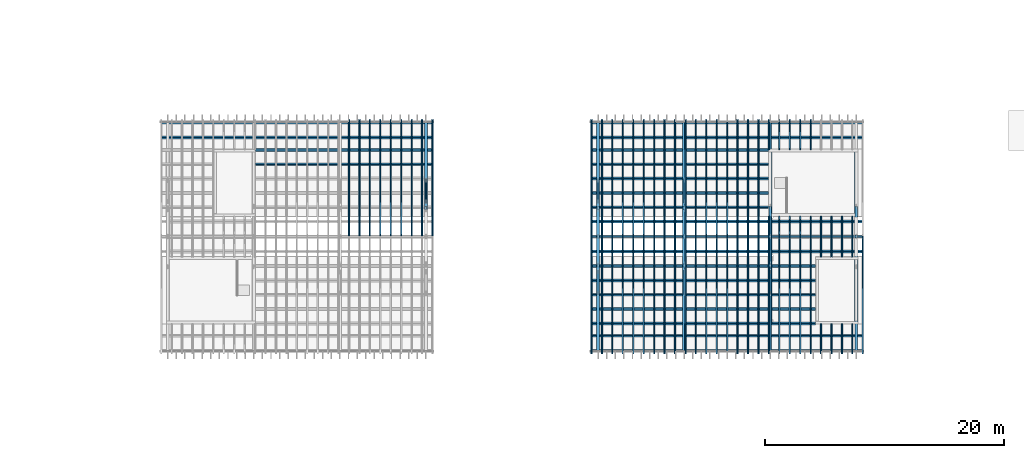
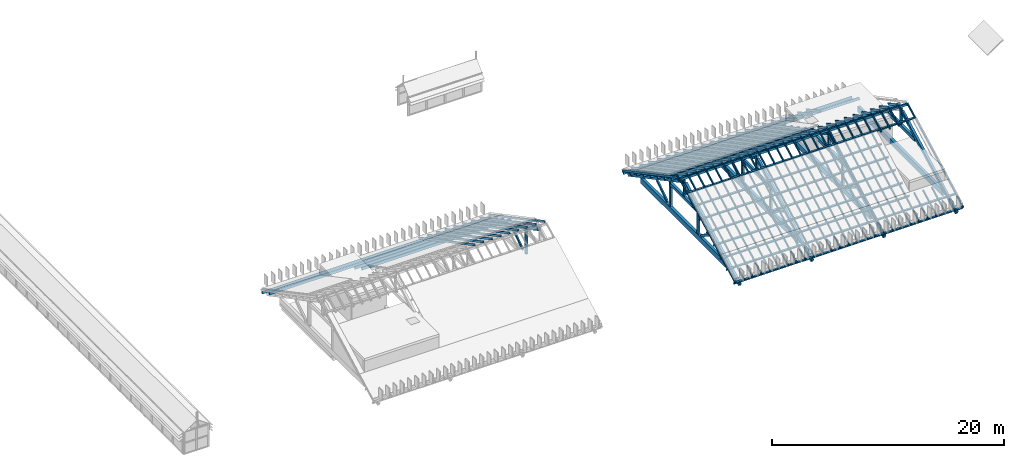
# One storey, part 10 of 28: 120 members, 4 beams.
"""IFC4 building model written with IfcOpenShell, lengths in metres."""

from ifc_helpers import new_model, si_unit, direction, frame, origin, origin_2d, place, context, subcontext, project, spatial, rectangle, extrude, material, material_profile, profile_set, type_object, element, save


model = new_model("IFC4")

# Units and contexts
model_context = context("Model", 3, precision=1e-05, world=origin(), true_north=direction((0.0, 1.0)))
body_context = subcontext(model_context, "Body", "Model", "MODEL_VIEW")
ifc_project = project(units=[si_unit("LENGTHUNIT", "METRE"), si_unit("AREAUNIT", "SQUARE_METRE"), si_unit("VOLUMEUNIT", "CUBIC_METRE"), si_unit("PLANEANGLEUNIT", "RADIAN"), si_unit("MASSUNIT", "GRAM", prefix="KILO")], contexts=[model_context])

# Site, building, storey
site_placement = place(None, origin())
site = spatial("IfcSite", under=ifc_project, at=site_placement, CompositionType="ELEMENT")
building_placement = place(site_placement, origin())
building = spatial("IfcBuilding", under=site, at=building_placement, Name="Mazhai Court Health Centre", CompositionType="ELEMENT")
storey_placement = place(building_placement, frame((0.0, 0.0, 18.0)))
storey = spatial("IfcBuildingStorey", under=building, at=storey_placement, Name="RF", CompositionType="ELEMENT", Elevation=18.0)

# Members
ifc_material_1 = material(Name="Glulam GL24h", Category="wood")
ifc_material_profile_1 = material_profile(ifc_material_1, rectangle(XDim=0.10009765625, YDim=0.199951171875, at=origin_2d()), Name="GL24h 100x200")
ifc_profile_set_1 = profile_set([ifc_material_profile_1], Name="Glulam GL24h")
member_type_1 = type_object("IfcMemberType", Name="GL24h 100x200 rafter", PredefinedType="RAFTER", material=ifc_profile_set_1)
for number, where, z_axis, x_axis, name in (
    (1, (86.165283203125, 30.359619140625, 0.01025390625), (0.0, -0.882941993072, 0.469482094301), (1.0, 0.0, 0.0), "Rafter RV4W-RF46"),
    (2, (87.03857421875, 30.359619140625, 0.01025390625), (0.0, -0.882941993072, 0.469482094301), (1.0, 0.0, 0.0), "Rafter RV4W-RF47"),
    (3, (87.91162109375, 30.359619140625, 0.01025390625), (0.0, -0.882941993072, 0.469482094301), (1.0, 0.0, 0.0), "Rafter RV4W-RF48"),
    (4, (88.78466796875, 30.359619140625, 0.01025390625), (0.0, -0.882941993072, 0.469482094301), (1.0, 0.0, 0.0), "Rafter RV4W-RF49"),
    (5, (89.65771484375, 30.359619140625, 0.01025390625), (0.0, -0.882941993072, 0.469482094301), (1.0, 0.0, 0.0), "Rafter RV4W-RF50"),
    (6, (90.53076171875, 30.359619140625, 0.01025390625), (0.0, -0.882941993072, 0.469482094301), (1.0, 0.0, 0.0), "Rafter RV4W-RF51"),
    (7, (91.40380859375, 30.359619140625, 0.01025390625), (0.0, -0.882941993072, 0.469482094301), (1.0, 0.0, 0.0), "Rafter RV4W-RF52"),
    (8, (92.27685546875, 30.359619140625, 0.01025390625), (0.0, -0.882941993072, 0.469482094301), (1.0, 0.0, 0.0), "Rafter RV4W-RF53"),
    (9, (93.14990234375, 30.359619140625, 0.01025390625), (0.0, -0.882941993072, 0.469482094301), (1.0, 0.0, 0.0), "Rafter RV4W-RF54"),
):
    element("IfcMember", number, at=place(storey_placement, frame(where, z_axis=z_axis, x_axis=x_axis)), inside=storey, type_object=member_type_1, Name=name, PredefinedType="RAFTER", context=body_context, shape_type="SweptSolid", body=[
        extrude(rectangle(XDim=0.10009765625, YDim=0.199951171875, at=origin_2d()), origin(), (0.0, 0.0, 1.0), 10.9208984375),
    ])
for number, where, z_axis, x_axis, name in (
    (10, (129.14990234375, 10.84033203125, 0.01025390625), (0.0, 0.882946920319, 0.469472827648), (-1.0, 0.0, 0.0), "Rafter RV4E-RF1"),
    (11, (124.78466796875, 10.84033203125, 0.01025390625), (0.0, 0.882946920319, 0.469472827648), (-1.0, 0.0, 0.0), "Rafter RV4E-RF6"),
    (12, (123.91162109375, 10.84033203125, 0.01025390625), (0.0, 0.882946920319, 0.469472827648), (-1.0, 0.0, 0.0), "Rafter RV4E-RF7"),
    (13, (123.03857421875, 10.84033203125, 0.01025390625), (0.0, 0.882946920319, 0.469472827648), (-1.0, 0.0, 0.0), "Rafter RV4E-RF8"),
    (14, (122.165283203125, 10.84033203125, 0.01025390625), (0.0, 0.882946920319, 0.469472827648), (-1.0, 0.0, 0.0), "Rafter RV4E-RF9"),
    (15, (121.292236328125, 10.84033203125, 0.01025390625), (0.0, 0.882946920319, 0.469472827648), (-1.0, 0.0, 0.0), "Rafter RV4E-RF10"),
    (16, (120.419189453125, 10.84033203125, 0.01025390625), (0.0, 0.882946920319, 0.469472827648), (-1.0, 0.0, 0.0), "Rafter RV4E-RF11"),
    (17, (119.546142578125, 10.84033203125, 0.01025390625), (0.0, 0.882946920319, 0.469472827648), (-1.0, 0.0, 0.0), "Rafter RV4E-RF12"),
    (18, (118.673095703125, 10.84033203125, 0.01025390625), (0.0, 0.882946920319, 0.469472827648), (-1.0, 0.0, 0.0), "Rafter RV4E-RF13"),
    (19, (117.800048828125, 10.84033203125, 0.01025390625), (0.0, 0.882946920319, 0.469472827648), (-1.0, 0.0, 0.0), "Rafter RV4E-RF14"),
    (20, (116.927001953125, 10.84033203125, 0.01025390625), (0.0, 0.882946920319, 0.469472827648), (-1.0, 0.0, 0.0), "Rafter RV4E-RF15"),
    (21, (116.053955078125, 10.84033203125, 0.01025390625), (0.0, 0.882946920319, 0.469472827648), (-1.0, 0.0, 0.0), "Rafter RV4E-RF16"),
    (22, (115.1806640625, 10.84033203125, 0.01025390625), (0.0, 0.882946920319, 0.469472827648), (-1.0, 0.0, 0.0), "Rafter RV4E-RF17"),
    (23, (114.3076171875, 10.84033203125, 0.01025390625), (0.0, 0.882946920319, 0.469472827648), (-1.0, 0.0, 0.0), "Rafter RV4E-RF18"),
    (24, (113.4345703125, 10.84033203125, 0.01025390625), (0.0, 0.882946920319, 0.469472827648), (-1.0, 0.0, 0.0), "Rafter RV4E-RF19"),
    (25, (112.5615234375, 10.84033203125, 0.01025390625), (0.0, 0.882946920319, 0.469472827648), (-1.0, 0.0, 0.0), "Rafter RV4E-RF20"),
    (26, (111.6884765625, 10.84033203125, 0.01025390625), (0.0, 0.882946920319, 0.469472827648), (-1.0, 0.0, 0.0), "Rafter RV4E-RF21"),
    (27, (110.8154296875, 10.84033203125, 0.01025390625), (0.0, 0.882946920319, 0.469472827648), (-1.0, 0.0, 0.0), "Rafter RV4E-RF22"),
    (28, (109.9423828125, 10.84033203125, 0.01025390625), (0.0, 0.882946920319, 0.469472827648), (-1.0, 0.0, 0.0), "Rafter RV4E-RF23"),
    (29, (109.0693359375, 10.84033203125, 0.01025390625), (0.0, 0.882946920319, 0.469472827648), (-1.0, 0.0, 0.0), "Rafter RV4E-RF24"),
    (30, (108.196044921875, 10.84033203125, 0.01025390625), (0.0, 0.882946920319, 0.469472827648), (-1.0, 0.0, 0.0), "Rafter RV4E-RF25"),
    (31, (107.322998046875, 10.84033203125, 0.01025390625), (0.0, 0.882946920319, 0.469472827648), (-1.0, 0.0, 0.0), "Rafter RV4E-RF26"),
    (32, (106.449951171875, 10.84033203125, 0.01025390625), (0.0, 0.882946920319, 0.469472827648), (-1.0, 0.0, 0.0), "Rafter RV4E-RF27"),
):
    element("IfcMember", number, at=place(storey_placement, frame(where, z_axis=z_axis, x_axis=x_axis)), inside=storey, type_object=member_type_1, Name=name, PredefinedType="RAFTER", context=body_context, shape_type="SweptSolid", body=[
        extrude(rectangle(XDim=0.10009765625, YDim=0.199951171875, at=origin_2d()), origin(), (0.0, 0.0, 1.0), 10.921142578125),
    ])
for number, where, z_axis, x_axis, name in (
    (33, (106.449951171875, 30.359619140625, 0.01025390625), (0.0, -0.882941993072, 0.469482094301), (1.0, 0.0, 0.0), "Rafter RV4E-RF28"),
    (34, (107.322998046875, 30.359619140625, 0.01025390625), (0.0, -0.882941993072, 0.469482094301), (1.0, 0.0, 0.0), "Rafter RV4E-RF29"),
    (35, (108.196044921875, 30.359619140625, 0.01025390625), (0.0, -0.882941993072, 0.469482094301), (1.0, 0.0, 0.0), "Rafter RV4E-RF30"),
    (36, (109.0693359375, 30.359619140625, 0.01025390625), (0.0, -0.882941993072, 0.469482094301), (1.0, 0.0, 0.0), "Rafter RV4E-RF31"),
    (37, (109.9423828125, 30.359619140625, 0.01025390625), (0.0, -0.882941993072, 0.469482094301), (1.0, 0.0, 0.0), "Rafter RV4E-RF32"),
    (38, (110.8154296875, 30.359619140625, 0.01025390625), (0.0, -0.882941993072, 0.469482094301), (1.0, 0.0, 0.0), "Rafter RV4E-RF33"),
    (39, (111.6884765625, 30.359619140625, 0.01025390625), (0.0, -0.882941993072, 0.469482094301), (1.0, 0.0, 0.0), "Rafter RV4E-RF34"),
    (40, (112.5615234375, 30.359619140625, 0.01025390625), (0.0, -0.882941993072, 0.469482094301), (1.0, 0.0, 0.0), "Rafter RV4E-RF35"),
    (41, (113.4345703125, 30.359619140625, 0.01025390625), (0.0, -0.882941993072, 0.469482094301), (1.0, 0.0, 0.0), "Rafter RV4E-RF36"),
    (42, (114.3076171875, 30.359619140625, 0.01025390625), (0.0, -0.882941993072, 0.469482094301), (1.0, 0.0, 0.0), "Rafter RV4E-RF37"),
    (43, (115.1806640625, 30.359619140625, 0.01025390625), (0.0, -0.882941993072, 0.469482094301), (1.0, 0.0, 0.0), "Rafter RV4E-RF38"),
    (44, (116.053955078125, 30.359619140625, 0.01025390625), (0.0, -0.882941993072, 0.469482094301), (1.0, 0.0, 0.0), "Rafter RV4E-RF39"),
    (45, (116.927001953125, 30.359619140625, 0.01025390625), (0.0, -0.882941993072, 0.469482094301), (1.0, 0.0, 0.0), "Rafter RV4E-RF40"),
    (46, (117.800048828125, 30.359619140625, 0.01025390625), (0.0, -0.882941993072, 0.469482094301), (1.0, 0.0, 0.0), "Rafter RV4E-RF41"),
    (47, (118.673095703125, 30.359619140625, 0.01025390625), (0.0, -0.882941993072, 0.469482094301), (1.0, 0.0, 0.0), "Rafter RV4E-RF42"),
    (48, (119.546142578125, 30.359619140625, 0.01025390625), (0.0, -0.882941993072, 0.469482094301), (1.0, 0.0, 0.0), "Rafter RV4E-RF43"),
    (49, (120.419189453125, 30.359619140625, 0.01025390625), (0.0, -0.882941993072, 0.469482094301), (1.0, 0.0, 0.0), "Rafter RV4E-RF44"),
):
    element("IfcMember", number, at=place(storey_placement, frame(where, z_axis=z_axis, x_axis=x_axis)), inside=storey, type_object=member_type_1, Name=name, PredefinedType="RAFTER", context=body_context, shape_type="SweptSolid", body=[
        extrude(rectangle(XDim=0.10009765625, YDim=0.199951171875, at=origin_2d()), origin(), (0.0, 0.0, 1.0), 10.9208984375),
    ])
member_1_placement = place(storey_placement, frame((121.292236328125, 30.359619140625, 0.01025390625), z_axis=(0.0, -0.882955170154, 0.469457311689), x_axis=(1.0, 0.0, 0.0)))
element("IfcMember", 50, at=member_1_placement, inside=storey, type_object=member_type_1, Name="Rafter RV4E-RF45", PredefinedType="RAFTER", context=body_context, shape_type="SweptSolid", body=[
    extrude(rectangle(XDim=0.10009765625, YDim=0.199951171875, at=origin_2d()), origin(), (0.0, 0.0, 1.0), 2.75732421875),
])
member_2_placement = place(storey_placement, frame((121.292236328125, 22.27490234375, 4.30908203125), z_axis=(0.0, -0.882968788078, 0.469431698206), x_axis=(1.0, 0.0, 0.0)))
element("IfcMember", 51, at=member_2_placement, inside=storey, type_object=member_type_1, Name="Rafter RV4E-RF45", PredefinedType="RAFTER", context=body_context, shape_type="SweptSolid", body=[
    extrude(rectangle(XDim=0.10009765625, YDim=0.199951171875, at=origin_2d()), origin(), (0.0, 0.0, 1.0), 1.7646484375),
])
member_3_placement = place(storey_placement, frame((122.165283203125, 30.359619140625, 0.01025390625), z_axis=(0.0, -0.882955170154, 0.469457311689), x_axis=(1.0, 0.0, 0.0)))
element("IfcMember", 52, at=member_3_placement, inside=storey, type_object=member_type_1, Name="Rafter RV4E-RF46", PredefinedType="RAFTER", context=body_context, shape_type="SweptSolid", body=[
    extrude(rectangle(XDim=0.10009765625, YDim=0.199951171875, at=origin_2d()), origin(), (0.0, 0.0, 1.0), 2.75732421875),
])
member_4_placement = place(storey_placement, frame((122.165283203125, 22.27490234375, 4.30908203125), z_axis=(0.0, -0.882968788078, 0.469431698206), x_axis=(1.0, 0.0, 0.0)))
element("IfcMember", 53, at=member_4_placement, inside=storey, type_object=member_type_1, Name="Rafter RV4E-RF46", PredefinedType="RAFTER", context=body_context, shape_type="SweptSolid", body=[
    extrude(rectangle(XDim=0.10009765625, YDim=0.199951171875, at=origin_2d()), origin(), (0.0, 0.0, 1.0), 1.7646484375),
])
member_5_placement = place(storey_placement, frame((123.03857421875, 30.359619140625, 0.01025390625), z_axis=(0.0, -0.882955170154, 0.469457311689), x_axis=(1.0, 0.0, 0.0)))
element("IfcMember", 54, at=member_5_placement, inside=storey, type_object=member_type_1, Name="Rafter RV4E-RF47", PredefinedType="RAFTER", context=body_context, shape_type="SweptSolid", body=[
    extrude(rectangle(XDim=0.10009765625, YDim=0.199951171875, at=origin_2d()), origin(), (0.0, 0.0, 1.0), 2.75732421875),
])
member_6_placement = place(storey_placement, frame((123.03857421875, 22.27490234375, 4.30908203125), z_axis=(0.0, -0.882968788078, 0.469431698206), x_axis=(1.0, 0.0, 0.0)))
element("IfcMember", 55, at=member_6_placement, inside=storey, type_object=member_type_1, Name="Rafter RV4E-RF47", PredefinedType="RAFTER", context=body_context, shape_type="SweptSolid", body=[
    extrude(rectangle(XDim=0.10009765625, YDim=0.199951171875, at=origin_2d()), origin(), (0.0, 0.0, 1.0), 1.7646484375),
])
member_7_placement = place(storey_placement, frame((123.91162109375, 30.359619140625, 0.01025390625), z_axis=(0.0, -0.882955170154, 0.469457311689), x_axis=(1.0, 0.0, 0.0)))
element("IfcMember", 56, at=member_7_placement, inside=storey, type_object=member_type_1, Name="Rafter RV4E-RF48", PredefinedType="RAFTER", context=body_context, shape_type="SweptSolid", body=[
    extrude(rectangle(XDim=0.10009765625, YDim=0.199951171875, at=origin_2d()), origin(), (0.0, 0.0, 1.0), 2.75732421875),
])
member_8_placement = place(storey_placement, frame((123.91162109375, 22.27490234375, 4.30908203125), z_axis=(0.0, -0.882968788078, 0.469431698206), x_axis=(1.0, 0.0, 0.0)))
element("IfcMember", 57, at=member_8_placement, inside=storey, type_object=member_type_1, Name="Rafter RV4E-RF48", PredefinedType="RAFTER", context=body_context, shape_type="SweptSolid", body=[
    extrude(rectangle(XDim=0.10009765625, YDim=0.199951171875, at=origin_2d()), origin(), (0.0, 0.0, 1.0), 1.7646484375),
])
member_9_placement = place(storey_placement, frame((124.78466796875, 30.359619140625, 0.01025390625), z_axis=(0.0, -0.882955170154, 0.469457311689), x_axis=(1.0, 0.0, 0.0)))
element("IfcMember", 58, at=member_9_placement, inside=storey, type_object=member_type_1, Name="Rafter RV4E-RF49", PredefinedType="RAFTER", context=body_context, shape_type="SweptSolid", body=[
    extrude(rectangle(XDim=0.10009765625, YDim=0.199951171875, at=origin_2d()), origin(), (0.0, 0.0, 1.0), 2.75732421875),
])
for number, where, z_axis, x_axis, name in (
    (59, (124.78466796875, 22.27490234375, 4.30908203125), (0.0, -0.882968788078, 0.469431698206), (1.0, 0.0, 0.0), "Rafter RV4E-RF49"),
    (60, (125.65771484375, 22.27490234375, 4.30908203125), (0.0, -0.882968788078, 0.469431698206), (1.0, 0.0, 0.0), "Rafter RV4E-RF50"),
    (61, (126.53076171875, 22.27490234375, 4.30908203125), (0.0, -0.882968788078, 0.469431698206), (1.0, 0.0, 0.0), "Rafter RV4E-RF51"),
    (62, (127.40380859375, 22.27490234375, 4.30908203125), (0.0, -0.882968788078, 0.469431698206), (1.0, 0.0, 0.0), "Rafter RV4E-RF52"),
    (63, (128.27685546875, 22.27490234375, 4.30908203125), (0.0, -0.882968788078, 0.469431698206), (1.0, 0.0, 0.0), "Rafter RV4E-RF53"),
):
    element("IfcMember", number, at=place(storey_placement, frame(where, z_axis=z_axis, x_axis=x_axis)), inside=storey, type_object=member_type_1, Name=name, PredefinedType="RAFTER", context=body_context, shape_type="SweptSolid", body=[
        extrude(rectangle(XDim=0.10009765625, YDim=0.199951171875, at=origin_2d()), origin(), (0.0, 0.0, 1.0), 1.7646484375),
    ])
member_10_placement = place(storey_placement, frame((128.27685546875, 10.84033203125, 0.01025390625), z_axis=(0.0, 0.882955170154, 0.469457311689), x_axis=(-1.0, 0.0, 0.0)))
element("IfcMember", 64, at=member_10_placement, inside=storey, type_object=member_type_1, Name="Rafter RV4E-RF2", PredefinedType="RAFTER", context=body_context, shape_type="SweptSolid", body=[
    extrude(rectangle(XDim=0.10009765625, YDim=0.199951171875, at=origin_2d()), origin(), (0.0, 0.0, 1.0), 2.75732421875),
])
member_11_placement = place(storey_placement, frame((128.27685546875, 18.925048828125, 4.30908203125), z_axis=(0.0, 0.882968788078, 0.469431698206), x_axis=(-1.0, 0.0, 0.0)))
element("IfcMember", 65, at=member_11_placement, inside=storey, type_object=member_type_1, Name="Rafter RV4E-RF2", PredefinedType="RAFTER", context=body_context, shape_type="SweptSolid", body=[
    extrude(rectangle(XDim=0.10009765625, YDim=0.199951171875, at=origin_2d()), origin(), (0.0, 0.0, 1.0), 1.7646484375),
])
member_12_placement = place(storey_placement, frame((127.40380859375, 10.84033203125, 0.01025390625), z_axis=(0.0, 0.882955170154, 0.469457311689), x_axis=(-1.0, 0.0, 0.0)))
element("IfcMember", 66, at=member_12_placement, inside=storey, type_object=member_type_1, Name="Rafter RV4E-RF3", PredefinedType="RAFTER", context=body_context, shape_type="SweptSolid", body=[
    extrude(rectangle(XDim=0.10009765625, YDim=0.199951171875, at=origin_2d()), origin(), (0.0, 0.0, 1.0), 2.75732421875),
])
member_13_placement = place(storey_placement, frame((127.40380859375, 18.925048828125, 4.30908203125), z_axis=(0.0, 0.882968788078, 0.469431698206), x_axis=(-1.0, 0.0, 0.0)))
element("IfcMember", 67, at=member_13_placement, inside=storey, type_object=member_type_1, Name="Rafter RV4E-RF3", PredefinedType="RAFTER", context=body_context, shape_type="SweptSolid", body=[
    extrude(rectangle(XDim=0.10009765625, YDim=0.199951171875, at=origin_2d()), origin(), (0.0, 0.0, 1.0), 1.7646484375),
])
member_14_placement = place(storey_placement, frame((126.53076171875, 10.84033203125, 0.01025390625), z_axis=(0.0, 0.882955170154, 0.469457311689), x_axis=(-1.0, 0.0, 0.0)))
element("IfcMember", 68, at=member_14_placement, inside=storey, type_object=member_type_1, Name="Rafter RV4E-RF4", PredefinedType="RAFTER", context=body_context, shape_type="SweptSolid", body=[
    extrude(rectangle(XDim=0.10009765625, YDim=0.199951171875, at=origin_2d()), origin(), (0.0, 0.0, 1.0), 2.75732421875),
])
member_15_placement = place(storey_placement, frame((126.53076171875, 18.925048828125, 4.30908203125), z_axis=(0.0, 0.882968788078, 0.469431698206), x_axis=(-1.0, 0.0, 0.0)))
element("IfcMember", 69, at=member_15_placement, inside=storey, type_object=member_type_1, Name="Rafter RV4E-RF4", PredefinedType="RAFTER", context=body_context, shape_type="SweptSolid", body=[
    extrude(rectangle(XDim=0.10009765625, YDim=0.199951171875, at=origin_2d()), origin(), (0.0, 0.0, 1.0), 1.7646484375),
])
member_16_placement = place(storey_placement, frame((125.65771484375, 10.84033203125, 0.01025390625), z_axis=(0.0, 0.882955170154, 0.469457311689), x_axis=(-1.0, 0.0, 0.0)))
element("IfcMember", 70, at=member_16_placement, inside=storey, type_object=member_type_1, Name="Rafter RV4E-RF5", PredefinedType="RAFTER", context=body_context, shape_type="SweptSolid", body=[
    extrude(rectangle(XDim=0.10009765625, YDim=0.199951171875, at=origin_2d()), origin(), (0.0, 0.0, 1.0), 2.75732421875),
])
member_17_placement = place(storey_placement, frame((125.65771484375, 18.925048828125, 4.30908203125), z_axis=(0.0, 0.882968788078, 0.469431698206), x_axis=(-1.0, 0.0, 0.0)))
element("IfcMember", 71, at=member_17_placement, inside=storey, type_object=member_type_1, Name="Rafter RV4E-RF5", PredefinedType="RAFTER", context=body_context, shape_type="SweptSolid", body=[
    extrude(rectangle(XDim=0.10009765625, YDim=0.199951171875, at=origin_2d()), origin(), (0.0, 0.0, 1.0), 1.7646484375),
])
ifc_material_2 = material(Name="Glulam GL24h", Category="wood")
ifc_material_profile_2 = material_profile(ifc_material_2, rectangle(XDim=0.139892578125, YDim=0.239990234375, at=origin_2d()), Name="GL24h 140x240")
ifc_profile_set_2 = profile_set([ifc_material_profile_2], Name="Glulam GL24h")
member_type_2 = type_object("IfcMemberType", Name="GL24h 140x240 purlin", PredefinedType="PURLIN", material=ifc_profile_set_2)
for number, where, z_axis, x_axis, name in (
    (72, (70.39990234375, 30.15625, -0.130859375), (1.0, 0.0, 0.0), (0.0, 0.882947592859, -0.469471562786), "Purlin RV4W-PU9"),
    (73, (70.39990234375, 28.891357421875, 0.541748046875), (1.0, 0.0, 0.0), (0.0, 0.882947592859, -0.469471562786), "Purlin RV4W-PU10"),
    (74, (106.39990234375, 11.043701171875, -0.130859375), (1.0, 0.0, 0.0), (0.0, 0.882947592859, 0.469471562786), "Purlin RV4E-PU1"),
    (75, (106.39990234375, 12.30859375, 0.541748046875), (1.0, 0.0, 0.0), (0.0, 0.882947592859, 0.469471562786), "Purlin RV4E-PU2"),
    (76, (106.39990234375, 19.34375, 4.282470703125), (1.0, 0.0, 0.0), (0.0, 0.882947592859, 0.469471562786), "Purlin RV4E-PU8"),
    (77, (106.39990234375, 30.15625, -0.130859375), (1.0, 0.0, 0.0), (0.0, 0.882947592859, -0.469471562786), "Purlin RV4E-PU9"),
    (78, (106.39990234375, 28.891357421875, 0.541748046875), (1.0, 0.0, 0.0), (0.0, 0.882947592859, -0.469471562786), "Purlin RV4E-PU10"),
    (79, (106.39990234375, 21.8564453125, 4.282470703125), (1.0, 0.0, 0.0), (0.0, 0.882947592859, -0.469471562786), "Purlin RV4E-PU16"),
):
    element("IfcMember", number, at=place(storey_placement, frame(where, z_axis=z_axis, x_axis=x_axis)), inside=storey, type_object=member_type_2, Name=name, PredefinedType="PURLIN", context=body_context, shape_type="SweptSolid", body=[
        extrude(rectangle(XDim=0.139892578125, YDim=0.239990234375, at=origin_2d()), origin(), (0.0, 0.0, 1.0), 22.800048828125),
    ])
for number, where, z_axis, x_axis, name in (
    (80, (78.324951171875, 27.856201171875, 1.09228515625), (1.0, 0.0, 0.0), (0.0, 0.882947592859, -0.469471562786), "Purlin RV4W-PU11"),
    (81, (78.324951171875, 26.65625, 1.730224609375), (1.0, 0.0, 0.0), (0.0, 0.882947592859, -0.469471562786), "Purlin RV4W-PU12"),
    (82, (106.39990234375, 27.856201171875, 1.09228515625), (1.0, 0.0, 0.0), (0.0, 0.882947592859, -0.469471562786), "Purlin RV4E-PU11"),
    (83, (106.39990234375, 26.65625, 1.730224609375), (1.0, 0.0, 0.0), (0.0, 0.882947592859, -0.469471562786), "Purlin RV4E-PU12"),
    (84, (106.39990234375, 25.456298828125, 2.368408203125), (1.0, 0.0, 0.0), (0.0, 0.882947592859, -0.469471562786), "Purlin RV4E-PU13"),
    (85, (106.39990234375, 24.25634765625, 3.00634765625), (1.0, 0.0, 0.0), (0.0, 0.882947592859, -0.469471562786), "Purlin RV4E-PU14"),
    (86, (106.39990234375, 23.056396484375, 3.644287109375), (1.0, 0.0, 0.0), (0.0, 0.882947592859, -0.469471562786), "Purlin RV4E-PU15"),
):
    element("IfcMember", number, at=place(storey_placement, frame(where, z_axis=z_axis, x_axis=x_axis)), inside=storey, type_object=member_type_2, Name=name, PredefinedType="PURLIN", context=body_context, shape_type="SweptSolid", body=[
        extrude(rectangle(XDim=0.139892578125, YDim=0.239990234375, at=origin_2d()), origin(), (0.0, 0.0, 1.0), 14.875),
    ])
for number, where, z_axis, x_axis, name in (
    (87, (106.39990234375, 13.34375, 1.09228515625), (1.0, 0.0, 0.0), (0.0, 0.882947592859, 0.469471562786), "Purlin RV4E-PU3"),
    (88, (106.39990234375, 14.543701171875, 1.730224609375), (1.0, 0.0, 0.0), (0.0, 0.882947592859, 0.469471562786), "Purlin RV4E-PU4"),
    (89, (106.39990234375, 15.74365234375, 2.368408203125), (1.0, 0.0, 0.0), (0.0, 0.882947592859, 0.469471562786), "Purlin RV4E-PU5"),
    (90, (106.39990234375, 16.943603515625, 3.00634765625), (1.0, 0.0, 0.0), (0.0, 0.882947592859, 0.469471562786), "Purlin RV4E-PU6"),
    (91, (106.39990234375, 18.143798828125, 3.644287109375), (1.0, 0.0, 0.0), (0.0, 0.882947592859, 0.469471562786), "Purlin RV4E-PU7"),
):
    element("IfcMember", number, at=place(storey_placement, frame(where, z_axis=z_axis, x_axis=x_axis)), inside=storey, type_object=member_type_2, Name=name, PredefinedType="PURLIN", context=body_context, shape_type="SweptSolid", body=[
        extrude(rectangle(XDim=0.139892578125, YDim=0.239990234375, at=origin_2d()), origin(), (0.0, 0.0, 1.0), 18.81005859375),
    ])
ifc_material_3 = material(Name="Glulam GL24h", Category="wood")
ifc_material_profile_3 = material_profile(ifc_material_3, rectangle(XDim=0.139892578125, YDim=0.239990234375, at=origin_2d()), Name="GL24h 140x240")
ifc_profile_set_3 = profile_set([ifc_material_profile_3], Name="Glulam GL24h")
member_type_3 = type_object("IfcMemberType", Name="GL24h 140x240 ridge purlin", PredefinedType="PURLIN", material=ifc_profile_set_3)
member_18_placement = place(storey_placement, frame((106.39990234375, 20.60009765625, 4.96630859375), z_axis=(1.0, 0.0, 0.0), x_axis=(0.0, 1.0, 0.0)))
element("IfcMember", 92, at=member_18_placement, inside=storey, type_object=member_type_3, Name="Ridge purlin RV4E-RP1", PredefinedType="PURLIN", context=body_context, shape_type="SweptSolid", body=[
    extrude(rectangle(XDim=0.139892578125, YDim=0.239990234375, at=origin_2d()), origin(), (0.0, 0.0, 1.0), 22.800048828125),
])
ifc_material_4 = material(Name="Glulam GL24h", Category="wood")
ifc_material_profile_4 = material_profile(ifc_material_4, rectangle(XDim=0.139892578125, YDim=0.239990234375, at=origin_2d()), Name="GL24h 140x240")
ifc_profile_set_4 = profile_set([ifc_material_profile_4], Name="Glulam GL24h")
member_type_4 = type_object("IfcMemberType", Name="GL24h 140x240 strut", PredefinedType="BRACE", material=ifc_profile_set_4)
for number, where, z_axis, x_axis, name in (
    (93, (92.60009765625, 23.518310546875, 0.66015625), (0.0, 0.835059577637, 0.550159523954), (-1.0, 0.0, 0.0), "Strut TV4W-4-S2"),
    (94, (107.0, 17.681640625, 0.66015625), (0.0, -0.835059577637, 0.550159523954), (1.0, 0.0, 0.0), "Strut TV4E-1-S1"),
    (95, (107.0, 23.518310546875, 0.66015625), (0.0, 0.835059577637, 0.550159523954), (-1.0, 0.0, 0.0), "Strut TV4E-1-S2"),
    (96, (114.199951171875, 17.681640625, 0.66015625), (0.0, -0.835059577637, 0.550159523954), (1.0, 0.0, 0.0), "Strut TV4E-2-S1"),
    (97, (114.199951171875, 23.518310546875, 0.66015625), (0.0, 0.835059577637, 0.550159523954), (-1.0, 0.0, 0.0), "Strut TV4E-2-S2"),
    (98, (121.39990234375, 17.681640625, 0.66015625), (0.0, -0.835059577637, 0.550159523954), (1.0, 0.0, 0.0), "Strut TV4E-3-S1"),
):
    element("IfcMember", number, at=place(storey_placement, frame(where, z_axis=z_axis, x_axis=x_axis)), inside=storey, type_object=member_type_4, Name=name, PredefinedType="BRACE", context=body_context, shape_type="SweptSolid", body=[
        extrude(rectangle(XDim=0.139892578125, YDim=0.239990234375, at=origin_2d()), origin(), (0.0, 0.0, 1.0), 2.187744140625),
    ])
ifc_material_5 = material(Name="Glulam GL28h", Category="wood")
ifc_material_profile_5 = material_profile(ifc_material_5, rectangle(XDim=0.199951171875, YDim=0.239990234375, at=origin_2d()), Name="GL28h 200x240")
ifc_profile_set_5 = profile_set([ifc_material_profile_5], Name="Glulam GL28h")
member_type_5 = type_object("IfcMemberType", Name="GL28h 200x240 post", PredefinedType="POST", material=ifc_profile_set_5)
for number, where, z_axis, x_axis, name in (
    (99, (92.60009765625, 23.0, 0.56005859375), (0.0, 0.0, 1.0), (1.0, 0.0, 0.0), "Post TV4W-4-P2"),
    (100, (107.0, 18.199951171875, 0.56005859375), (0.0, 0.0, 1.0), (1.0, 0.0, 0.0), "Post TV4E-1-P1"),
    (101, (107.0, 23.0, 0.56005859375), (0.0, 0.0, 1.0), (1.0, 0.0, 0.0), "Post TV4E-1-P2"),
):
    element("IfcMember", number, at=place(storey_placement, frame(where, z_axis=z_axis, x_axis=x_axis)), inside=storey, type_object=member_type_5, Name=name, PredefinedType="POST", context=body_context, shape_type="SweptSolid", body=[
        extrude(rectangle(XDim=0.199951171875, YDim=0.239990234375, at=origin_2d()), origin(), (0.0, 0.0, 1.0), 2.55224609375),
    ])
member_19_placement = place(storey_placement, frame((107.0, 20.60009765625, 3.1123046875), z_axis=(0.0, 0.0, 1.0), x_axis=(1.0, 0.0, 0.0)))
element("IfcMember", 102, at=member_19_placement, inside=storey, type_object=member_type_5, Name="Post TV4E-1-P3", PredefinedType="POST", context=body_context, shape_type="SweptSolid", body=[
    extrude(rectangle(XDim=0.199951171875, YDim=0.239990234375, at=origin_2d()), origin(), (0.0, 0.0, 1.0), 1.734130859375),
])
for number, where, z_axis, x_axis, name in (
    (103, (114.199951171875, 18.199951171875, 0.56005859375), (0.0, 0.0, 1.0), (1.0, 0.0, 0.0), "Post TV4E-2-P1"),
    (104, (114.199951171875, 23.0, 0.56005859375), (0.0, 0.0, 1.0), (1.0, 0.0, 0.0), "Post TV4E-2-P2"),
):
    element("IfcMember", number, at=place(storey_placement, frame(where, z_axis=z_axis, x_axis=x_axis)), inside=storey, type_object=member_type_5, Name=name, PredefinedType="POST", context=body_context, shape_type="SweptSolid", body=[
        extrude(rectangle(XDim=0.199951171875, YDim=0.239990234375, at=origin_2d()), origin(), (0.0, 0.0, 1.0), 2.55224609375),
    ])
member_20_placement = place(storey_placement, frame((114.199951171875, 20.60009765625, 3.1123046875), z_axis=(0.0, 0.0, 1.0), x_axis=(1.0, 0.0, 0.0)))
element("IfcMember", 105, at=member_20_placement, inside=storey, type_object=member_type_5, Name="Post TV4E-2-P3", PredefinedType="POST", context=body_context, shape_type="SweptSolid", body=[
    extrude(rectangle(XDim=0.199951171875, YDim=0.239990234375, at=origin_2d()), origin(), (0.0, 0.0, 1.0), 1.734130859375),
])
member_21_placement = place(storey_placement, frame((121.39990234375, 18.199951171875, 0.56005859375), z_axis=(0.0, 0.0, 1.0), x_axis=(1.0, 0.0, 0.0)))
element("IfcMember", 106, at=member_21_placement, inside=storey, type_object=member_type_5, Name="Post TV4E-3-P1", PredefinedType="POST", context=body_context, shape_type="SweptSolid", body=[
    extrude(rectangle(XDim=0.199951171875, YDim=0.239990234375, at=origin_2d()), origin(), (0.0, 0.0, 1.0), 2.55224609375),
])
for number, where, z_axis, x_axis, name in (
    (107, (121.39990234375, 20.60009765625, 3.1123046875), (0.0, 0.0, 1.0), (1.0, 0.0, 0.0), "Post TV4E-3-P3"),
    (108, (128.60009765625, 20.60009765625, 3.1123046875), (0.0, 0.0, 1.0), (1.0, 0.0, 0.0), "Post TV4E-4-P3"),
):
    element("IfcMember", number, at=place(storey_placement, frame(where, z_axis=z_axis, x_axis=x_axis)), inside=storey, type_object=member_type_5, Name=name, PredefinedType="POST", context=body_context, shape_type="SweptSolid", body=[
        extrude(rectangle(XDim=0.199951171875, YDim=0.239990234375, at=origin_2d()), origin(), (0.0, 0.0, 1.0), 1.734130859375),
    ])
ifc_material_6 = material(Name="Glulam GL28h", Category="wood")
ifc_material_profile_6 = material_profile(ifc_material_6, rectangle(XDim=0.239990234375, YDim=0.320068359375, at=origin_2d()), Name="GL28h 240x320")
ifc_profile_set_6 = profile_set([ifc_material_profile_6], Name="Glulam GL28h")
member_type_6 = type_object("IfcMemberType", Name="GL28h 240x320 collar", PredefinedType="COLLAR", material=ifc_profile_set_6)
for number, where, z_axis, x_axis, name in (
    (109, (107.0, 18.320068359375, 2.9521484375), (0.0, 1.0, 0.0), (-1.0, 0.0, 0.0), "Collar TV4E-1-SB1"),
    (110, (114.199951171875, 18.320068359375, 2.9521484375), (0.0, 1.0, 0.0), (-1.0, 0.0, 0.0), "Collar TV4E-2-SB1"),
):
    element("IfcMember", number, at=place(storey_placement, frame(where, z_axis=z_axis, x_axis=x_axis)), inside=storey, type_object=member_type_6, Name=name, PredefinedType="COLLAR", context=body_context, shape_type="SweptSolid", body=[
        extrude(rectangle(XDim=0.239990234375, YDim=0.320068359375, at=origin_2d()), origin(), (0.0, 0.0, 1.0), 4.559814453125),
    ])
member_22_placement = place(storey_placement, frame((121.39990234375, 18.320068359375, 2.9521484375), z_axis=(0.0, 1.0, 0.0), x_axis=(-1.0, 0.0, 0.0)))
element("IfcMember", 111, at=member_22_placement, inside=storey, type_object=member_type_6, Name="Collar TV4E-3-SB1", PredefinedType="COLLAR", context=body_context, shape_type="SweptSolid", body=[
    extrude(rectangle(XDim=0.239990234375, YDim=0.320068359375, at=origin_2d()), origin(), (0.0, 0.0, 1.0), 4.800048828125),
])
member_23_placement = place(storey_placement, frame((128.60009765625, 18.080078125, 2.9521484375), z_axis=(0.0, 1.0, 0.0), x_axis=(-1.0, 0.0, 0.0)))
element("IfcMember", 112, at=member_23_placement, inside=storey, type_object=member_type_6, Name="Collar TV4E-4-SB1", PredefinedType="COLLAR", context=body_context, shape_type="SweptSolid", body=[
    extrude(rectangle(XDim=0.239990234375, YDim=0.320068359375, at=origin_2d()), origin(), (0.0, 0.0, 1.0), 5.0400390625),
])
ifc_material_7 = material(Name="Glulam GL28h", Category="wood")
ifc_material_profile_7 = material_profile(ifc_material_7, rectangle(XDim=0.239990234375, YDim=0.320068359375, at=origin_2d()), Name="GL28h 240x320")
ifc_profile_set_7 = profile_set([ifc_material_profile_7], Name="Glulam GL28h")
member_type_7 = type_object("IfcMemberType", Name="GL28h 240x320 rafter", PredefinedType="CHORD", material=ifc_profile_set_7)
for number, where, z_axis, x_axis, name in (
    (113, (92.60009765625, 20.780029296875, 4.53759765625), (0.0, 0.882942629048, -0.469480898237), (-1.0, 0.0, 0.0), "Rafter TV4W-4-R8"),
    (114, (107.0, 11.0, -0.47119140625), (0.0, 0.882942629048, 0.469480898237), (-1.0, 0.0, 0.0), "Rafter TV4E-1-R1"),
    (115, (107.0, 20.780029296875, 4.53759765625), (0.0, 0.882942629048, -0.469480898237), (-1.0, 0.0, 0.0), "Rafter TV4E-1-R8"),
    (116, (114.199951171875, 11.0, -0.47119140625), (0.0, 0.882942629048, 0.469480898237), (-1.0, 0.0, 0.0), "Rafter TV4E-2-R1"),
    (117, (114.199951171875, 20.780029296875, 4.53759765625), (0.0, 0.882942629048, -0.469480898237), (-1.0, 0.0, 0.0), "Rafter TV4E-2-R8"),
    (118, (121.39990234375, 11.0, -0.47119140625), (0.0, 0.882942629048, 0.469480898237), (-1.0, 0.0, 0.0), "Rafter TV4E-3-R1"),
    (119, (121.39990234375, 20.780029296875, 4.53759765625), (0.0, 0.882942629048, -0.469480898237), (-1.0, 0.0, 0.0), "Rafter TV4E-3-R8"),
    (120, (128.60009765625, 11.0, -0.47119140625), (0.0, 0.882942629048, 0.469480898237), (-1.0, 0.0, 0.0), "Rafter TV4E-4-R1"),
):
    element("IfcMember", number, at=place(storey_placement, frame(where, z_axis=z_axis, x_axis=x_axis)), inside=storey, type_object=member_type_7, Name=name, PredefinedType="CHORD", context=body_context, shape_type="SweptSolid", body=[
        extrude(rectangle(XDim=0.239990234375, YDim=0.320068359375, at=origin_2d()), origin(), (0.0, 0.0, 1.0), 10.668701171875),
    ])

# Beams
ifc_material_8 = material(Name="Glulam GL28h", Category="wood")
ifc_material_profile_8 = material_profile(ifc_material_8, rectangle(XDim=0.280029296875, YDim=0.56005859375, at=origin_2d()), Name="GL28h 280x560")
ifc_profile_set_8 = profile_set([ifc_material_profile_8], Name="Glulam GL28h")
beam_type = type_object("IfcBeamType", Name="GL28h 280x560 tie", PredefinedType="BEAM", material=ifc_profile_set_8)
for number, where, z_axis, x_axis, name in (
    (121, (107.0, 13.280029296875, 0.280029296875), (0.0, 1.0, 0.0), (-1.0, 0.0, 0.0), "Tie TV4E-1-TB1"),
    (122, (114.199951171875, 13.280029296875, 0.280029296875), (0.0, 1.0, 0.0), (-1.0, 0.0, 0.0), "Tie TV4E-2-TB1"),
    (123, (121.39990234375, 13.280029296875, 0.280029296875), (0.0, 1.0, 0.0), (-1.0, 0.0, 0.0), "Tie TV4E-3-TB1"),
    (124, (128.60009765625, 13.280029296875, 0.280029296875), (0.0, 1.0, 0.0), (-1.0, 0.0, 0.0), "Tie TV4E-4-TB1"),
):
    element("IfcBeam", number, at=place(storey_placement, frame(where, z_axis=z_axis, x_axis=x_axis)), inside=storey, type_object=beam_type, Name=name, PredefinedType="BEAM", context=body_context, shape_type="SweptSolid", body=[
        extrude(rectangle(XDim=0.280029296875, YDim=0.56005859375, at=origin_2d()), origin(), (0.0, 0.0, 1.0), 14.639892578125),
    ])

save(model, "model.ifc")
